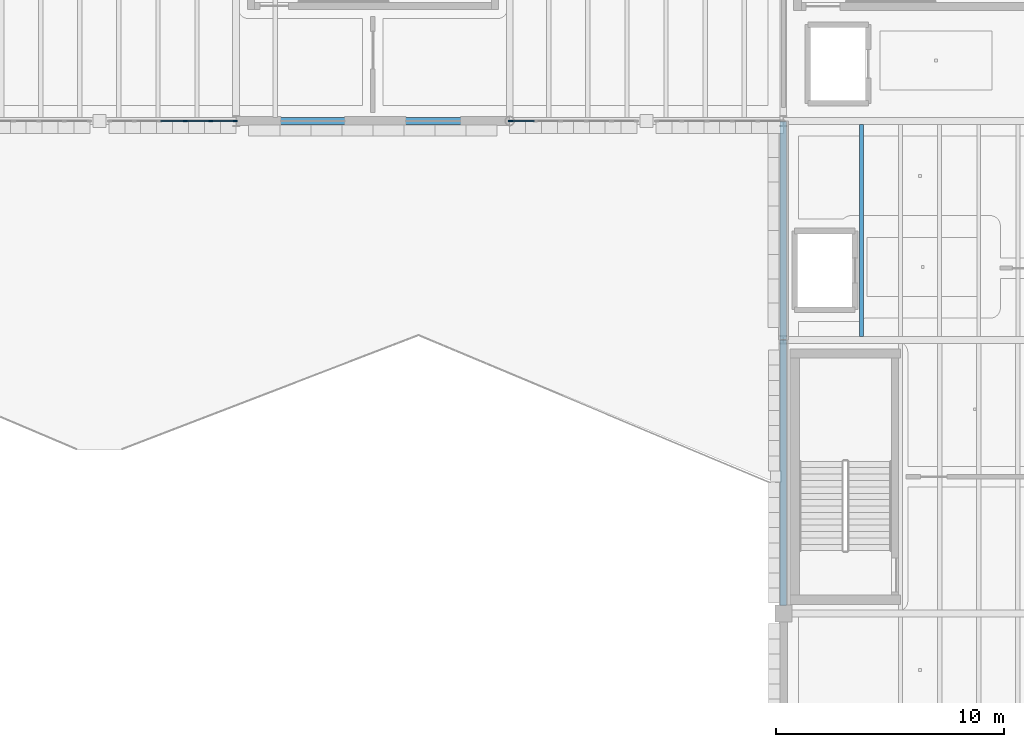
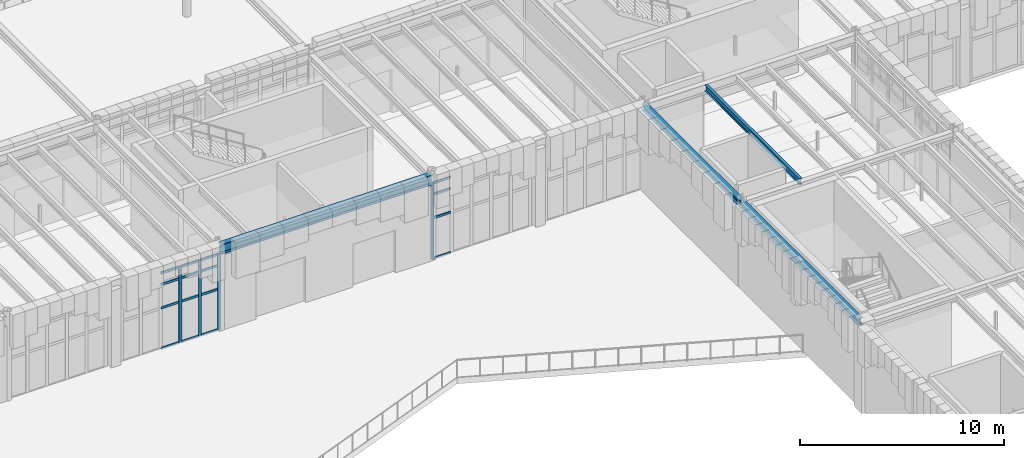
# One storey, part 28 of 103: 20 members, 4 beams, 2 elements without a shape of their own.
"""IFC4 building model written with IfcOpenShell, lengths in metres."""

from ifc_helpers import new_model, si_unit, direction, frame, origin, origin_2d, place, context, subcontext, project, spatial, rectangle, i_section, extrude, material, layer, layer_set, material_profile, profile_set, type_object, element, aggregate, save


model = new_model("IFC4")

# Units and contexts
model_context = context("Model", 3, precision=1e-05, world=origin(), true_north=direction((0.0, 1.0)))
body_context = subcontext(model_context, "Body", "Model", "MODEL_VIEW")
ifc_project = project(units=[si_unit("LENGTHUNIT", "METRE"), si_unit("AREAUNIT", "SQUARE_METRE"), si_unit("VOLUMEUNIT", "CUBIC_METRE"), si_unit("PLANEANGLEUNIT", "RADIAN"), si_unit("MASSUNIT", "GRAM", prefix="KILO")], contexts=[model_context])

# Site, building, storey
site_placement = place(None, origin())
site = spatial("IfcSite", under=ifc_project, at=site_placement, CompositionType="ELEMENT")
building_placement = place(site_placement, origin())
building = spatial("IfcBuilding", under=site, at=building_placement, Name="Zlatogorsky Bluff Art Gallery", CompositionType="ELEMENT")
storey_placement = place(building_placement, origin())
storey = spatial("IfcBuildingStorey", under=building, at=storey_placement, Name="L00", CompositionType="ELEMENT", Elevation=0.0)

# Beams
ifc_material_1 = material(Name="Steel S355", Category="steel")
ifc_material_profile_1 = material_profile(ifc_material_1, i_section(OverallWidth=0.300048828125, OverallDepth=0.590087890625, WebThickness=0.012939453125, FlangeThickness=0.02490234375, FilletRadius=0.027099609375, at=origin_2d()), Name="HEA 600")
ifc_profile_set_1 = profile_set([ifc_material_profile_1], Name="Steel S355")
beam_type_1 = type_object("IfcBeamType", Name="Beam BM-05 HEA 600", PredefinedType="BEAM", material=ifc_profile_set_1)
beam_1_placement = place(storey_placement, frame((96.014892578125, 84.0, 4.844970703125), z_axis=(1.0, 0.0, 0.0), x_axis=(0.0, 1.0, 0.0)))
element("IfcBeam", 1, at=beam_1_placement, inside=storey, type_object=beam_type_1, Name="Primary girder BM-05 L00 J-K/9", PredefinedType="BEAM", context=body_context, shape_type="SweptSolid", body=[
    extrude(i_section(OverallWidth=0.300048828125, OverallDepth=0.590087890625, WebThickness=0.012939453125, FlangeThickness=0.02490234375, FilletRadius=0.027099609375, at=origin_2d()), origin(), (0.0, 0.0, 1.0), 11.97021484375),
])
ifc_material_profile_2 = material_profile(ifc_material_1, i_section(OverallWidth=0.300048828125, OverallDepth=0.389892578125, WebThickness=0.010986328125, FlangeThickness=0.01904296875, FilletRadius=0.027099609375, at=origin_2d()), Name="HEA 400")
ifc_profile_set_2 = profile_set([ifc_material_profile_2], Name="Steel S355")
beam_type_2 = type_object("IfcBeamType", Name="Beam BM-09 HEA 400", PredefinedType="BEAM", material=ifc_profile_set_2)
beam_2_placement = place(storey_placement, frame((120.0, 62.7548828125, 4.945068359375), z_axis=(0.0, 1.0, 0.0), x_axis=(-1.0, 0.0, 0.0)))
element("IfcBeam", 2, at=beam_2_placement, inside=storey, type_object=beam_type_2, Name="Primary girder BM-09 L00 L/7-8", PredefinedType="BEAM", context=body_context, shape_type="SweptSolid", body=[
    extrude(i_section(OverallWidth=0.300048828125, OverallDepth=0.389892578125, WebThickness=0.010986328125, FlangeThickness=0.01904296875, FilletRadius=0.027099609375, at=origin_2d()), origin(), (0.0, 0.0, 1.0), 11.630126953125),
])
ifc_material_profile_3 = material_profile(ifc_material_1, i_section(OverallWidth=0.300048828125, OverallDepth=0.35009765625, WebThickness=0.010009765625, FlangeThickness=0.017578125, FilletRadius=0.027099609375, at=origin_2d()), Name="HEA 360")
ifc_profile_set_3 = profile_set([ifc_material_profile_3], Name="Steel S355")
beam_type_3 = type_object("IfcBeamType", Name="Beam BM-10 HEA 360", PredefinedType="BEAM", material=ifc_profile_set_3)
beam_3_placement = place(storey_placement, frame((120.0, 74.4150390625, 4.965087890625), z_axis=(0.0, 1.0, 0.0), x_axis=(-1.0, 0.0, 0.0)))
element("IfcBeam", 3, at=beam_3_placement, inside=storey, type_object=beam_type_3, Name="Primary girder BM-10 L00 L/8-9", PredefinedType="BEAM", context=body_context, shape_type="SweptSolid", body=[
    extrude(i_section(OverallWidth=0.300048828125, OverallDepth=0.35009765625, WebThickness=0.010009765625, FlangeThickness=0.017578125, FilletRadius=0.027099609375, at=origin_2d()), origin(), (0.0, 0.0, 1.0), 9.570068359375),
])
ifc_material_profile_4 = material_profile(ifc_material_1, i_section(OverallWidth=0.169921875, OverallDepth=0.360107421875, WebThickness=0.008056640625, FlangeThickness=0.0126953125, FilletRadius=0.01806640625, at=origin_2d()), Name="IPE 360")
ifc_profile_set_4 = profile_set([ifc_material_profile_4], Name="Steel S355")
beam_type_4 = type_object("IfcBeamType", Name="Beam JS-04 IPE 360", PredefinedType="JOIST", material=ifc_profile_set_4)
beam_4_placement = place(storey_placement, frame((123.428466796875, 74.550048828125, 4.9599609375), z_axis=(0.0, 1.0, 0.0), x_axis=(-1.0, 0.0, 0.0)))
element("IfcBeam", 4, at=beam_4_placement, inside=storey, type_object=beam_type_4, Name="Composite floor joist JS-04 L00 10.07.2", PredefinedType="JOIST", context=body_context, shape_type="SweptSolid", body=[
    extrude(i_section(OverallWidth=0.169921875, OverallDepth=0.360107421875, WebThickness=0.008056640625, FlangeThickness=0.0126953125, FilletRadius=0.01806640625, at=origin_2d()), origin(), (0.0, 0.0, 1.0), 9.300048828125),
])

# Curtain wall, members
ifc_material_2 = material(Name="Anodised Bronze Aluminium and Low-Iron Triple Glazing", Category="aluminium")
ifc_layer = layer(ifc_material_2, 0.179931640625)
ifc_layer_set = layer_set([ifc_layer], Name="Curtain Wall CW-03")
curtain_wall_type = type_object("IfcCurtainWallType", Name="Curtain Wall CW-03", PredefinedType="USERDEFINED", material=ifc_layer_set)
curtain_wall_1_placement = place(storey_placement, origin())
curtain_wall_1 = element("IfcCurtainWall", 5, at=curtain_wall_1_placement, inside=storey, type_object=curtain_wall_type, Name="Unitised curtain wall CW-03 L00 S 7.8-B", ObjectType="CURTAIN WALL", PredefinedType="USERDEFINED")
ifc_material_3 = material(Name="Anodised Bronze Aluminium", Category="aluminium")
ifc_material_profile_5 = material_profile(ifc_material_3, rectangle(XDim=0.06494140625, YDim=0.179931640625, at=origin_2d()), Name="ALU MULLION 65x180")
ifc_profile_set_5 = profile_set([ifc_material_profile_5], Name="Anodised Bronze Aluminium")
member_type_1 = type_object("IfcMemberType", Name="Curtain Mullion ML-01", PredefinedType="MULLION", material=ifc_profile_set_5)
member_1_placement = place(storey_placement, frame((93.76806640625, 84.0, 0.0), z_axis=(0.0, 0.0, 1.0), x_axis=(0.0, 1.0, 0.0)))
member_1 = element("IfcMember", 6, at=member_1_placement, type_object=member_type_1, Name="CW-03 mullion 4", PredefinedType="MULLION", context=body_context, shape_type="SweptSolid", body=[
    extrude(rectangle(XDim=0.06494140625, YDim=0.179931640625, at=origin_2d()), origin(), (0.0, 0.0, 1.0), 4.56005859375),
])
member_2_placement = place(storey_placement, frame((94.884033203125, 84.0, 0.0), z_axis=(0.0, 0.0, 1.0), x_axis=(0.0, 1.0, 0.0)))
member_2 = element("IfcMember", 7, at=member_2_placement, type_object=member_type_1, Name="CW-03 mullion 5", PredefinedType="MULLION", context=body_context, shape_type="SweptSolid", body=[
    extrude(rectangle(XDim=0.06494140625, YDim=0.179931640625, at=origin_2d()), origin(), (0.0, 0.0, 1.0), 4.56005859375),
])
member_3_placement = place(storey_placement, frame((95.967529296875, 84.0, 0.0), z_axis=(0.0, 0.0, 1.0), x_axis=(0.0, 1.0, 0.0)))
member_3 = element("IfcMember", 8, at=member_3_placement, type_object=member_type_1, Name="CW-03 mullion 6", PredefinedType="MULLION", context=body_context, shape_type="SweptSolid", body=[
    extrude(rectangle(XDim=0.06494140625, YDim=0.179931640625, at=origin_2d()), origin(), (0.0, 0.0, 1.0), 4.56005859375),
])

# Curtain wall, member
curtain_wall_2_placement = place(storey_placement, origin())
curtain_wall_2 = element("IfcCurtainWall", 9, at=curtain_wall_2_placement, inside=storey, type_object=curtain_wall_type, Name="Unitised curtain wall CW-03 L00 S 9.8-A", ObjectType="CURTAIN WALL", PredefinedType="USERDEFINED")
member_4_placement = place(storey_placement, frame((108.032470703125, 84.0, 0.0), z_axis=(0.0, 0.0, 1.0), x_axis=(0.0, 1.0, 0.0)))
member_4 = element("IfcMember", 10, at=member_4_placement, type_object=member_type_1, Name="CW-03 mullion 1", PredefinedType="MULLION", context=body_context, shape_type="SweptSolid", body=[
    extrude(rectangle(XDim=0.06494140625, YDim=0.179931640625, at=origin_2d()), origin(), (0.0, 0.0, 1.0), 4.56005859375),
])

# Member
ifc_material_profile_6 = material_profile(ifc_material_3, rectangle(XDim=0.06494140625, YDim=0.139892578125, at=origin_2d()), Name="ALU TRANSOM 65x140")
ifc_profile_set_6 = profile_set([ifc_material_profile_6], Name="Anodised Bronze Aluminium")
member_type_2 = type_object("IfcMemberType", Name="Curtain Transom TR-01", PredefinedType="USERDEFINED", material=ifc_profile_set_6)
member_5_placement = place(storey_placement, frame((92.6845703125, 84.0, 0.032470703125), z_axis=(1.0, 0.0, 0.0), x_axis=(0.0, 1.0, 0.0)))
member_5 = element("IfcMember", 11, at=member_5_placement, type_object=member_type_2, Name="CW-03 transom 3.1", ObjectType="TRANSOM", PredefinedType="USERDEFINED", context=body_context, shape_type="SweptSolid", body=[
    extrude(rectangle(XDim=0.06494140625, YDim=0.139892578125, at=origin_2d()), origin(), (0.0, 0.0, 1.0), 1.051025390625),
])

member_6_placement = place(storey_placement, frame((92.6845703125, 84.0, 2.449951171875), z_axis=(1.0, 0.0, 0.0), x_axis=(0.0, 1.0, 0.0)))
member_6 = element("IfcMember", 12, at=member_6_placement, type_object=member_type_2, Name="CW-03 transom 3.2", ObjectType="TRANSOM", PredefinedType="USERDEFINED", context=body_context, shape_type="SweptSolid", body=[
    extrude(rectangle(XDim=0.06494140625, YDim=0.139892578125, at=origin_2d()), origin(), (0.0, 0.0, 1.0), 1.051025390625),
])

member_7_placement = place(storey_placement, frame((92.6845703125, 84.0, 3.85009765625), z_axis=(1.0, 0.0, 0.0), x_axis=(0.0, 1.0, 0.0)))
member_7 = element("IfcMember", 13, at=member_7_placement, type_object=member_type_2, Name="CW-03 transom 3.3", ObjectType="TRANSOM", PredefinedType="USERDEFINED", context=body_context, shape_type="SweptSolid", body=[
    extrude(rectangle(XDim=0.06494140625, YDim=0.139892578125, at=origin_2d()), origin(), (0.0, 0.0, 1.0), 1.051025390625),
])

member_8_placement = place(storey_placement, frame((92.6845703125, 84.0, 4.527587890625), z_axis=(1.0, 0.0, 0.0), x_axis=(0.0, 1.0, 0.0)))
member_8 = element("IfcMember", 14, at=member_8_placement, type_object=member_type_2, Name="CW-03 transom 3.4", ObjectType="TRANSOM", PredefinedType="USERDEFINED", context=body_context, shape_type="SweptSolid", body=[
    extrude(rectangle(XDim=0.06494140625, YDim=0.139892578125, at=origin_2d()), origin(), (0.0, 0.0, 1.0), 1.051025390625),
])

member_9_placement = place(storey_placement, frame((93.800537109375, 84.0, 0.032470703125), z_axis=(1.0, 0.0, 0.0), x_axis=(0.0, 1.0, 0.0)))
member_9 = element("IfcMember", 15, at=member_9_placement, type_object=member_type_2, Name="CW-03 transom 4.1", ObjectType="TRANSOM", PredefinedType="USERDEFINED", context=body_context, shape_type="SweptSolid", body=[
    extrude(rectangle(XDim=0.06494140625, YDim=0.139892578125, at=origin_2d()), origin(), (0.0, 0.0, 1.0), 1.051025390625),
])

member_10_placement = place(storey_placement, frame((93.800537109375, 84.0, 2.449951171875), z_axis=(1.0, 0.0, 0.0), x_axis=(0.0, 1.0, 0.0)))
member_10 = element("IfcMember", 16, at=member_10_placement, type_object=member_type_2, Name="CW-03 transom 4.2", ObjectType="TRANSOM", PredefinedType="USERDEFINED", context=body_context, shape_type="SweptSolid", body=[
    extrude(rectangle(XDim=0.06494140625, YDim=0.139892578125, at=origin_2d()), origin(), (0.0, 0.0, 1.0), 1.051025390625),
])

member_11_placement = place(storey_placement, frame((93.800537109375, 84.0, 3.85009765625), z_axis=(1.0, 0.0, 0.0), x_axis=(0.0, 1.0, 0.0)))
member_11 = element("IfcMember", 17, at=member_11_placement, type_object=member_type_2, Name="CW-03 transom 4.3", ObjectType="TRANSOM", PredefinedType="USERDEFINED", context=body_context, shape_type="SweptSolid", body=[
    extrude(rectangle(XDim=0.06494140625, YDim=0.139892578125, at=origin_2d()), origin(), (0.0, 0.0, 1.0), 1.051025390625),
])

member_12_placement = place(storey_placement, frame((93.800537109375, 84.0, 4.527587890625), z_axis=(1.0, 0.0, 0.0), x_axis=(0.0, 1.0, 0.0)))
member_12 = element("IfcMember", 18, at=member_12_placement, type_object=member_type_2, Name="CW-03 transom 4.4", ObjectType="TRANSOM", PredefinedType="USERDEFINED", context=body_context, shape_type="SweptSolid", body=[
    extrude(rectangle(XDim=0.06494140625, YDim=0.139892578125, at=origin_2d()), origin(), (0.0, 0.0, 1.0), 1.051025390625),
])

member_13_placement = place(storey_placement, frame((94.91650390625, 84.0, 0.032470703125), z_axis=(1.0, 0.0, 0.0), x_axis=(0.0, 1.0, 0.0)))
member_13 = element("IfcMember", 19, at=member_13_placement, type_object=member_type_2, Name="CW-03 transom 5.1", ObjectType="TRANSOM", PredefinedType="USERDEFINED", context=body_context, shape_type="SweptSolid", body=[
    extrude(rectangle(XDim=0.06494140625, YDim=0.139892578125, at=origin_2d()), origin(), (0.0, 0.0, 1.0), 1.0185546875),
])

member_14_placement = place(storey_placement, frame((94.91650390625, 84.0, 2.449951171875), z_axis=(1.0, 0.0, 0.0), x_axis=(0.0, 1.0, 0.0)))
member_14 = element("IfcMember", 20, at=member_14_placement, type_object=member_type_2, Name="CW-03 transom 5.2", ObjectType="TRANSOM", PredefinedType="USERDEFINED", context=body_context, shape_type="SweptSolid", body=[
    extrude(rectangle(XDim=0.06494140625, YDim=0.139892578125, at=origin_2d()), origin(), (0.0, 0.0, 1.0), 1.0185546875),
])

member_15_placement = place(storey_placement, frame((94.91650390625, 84.0, 3.85009765625), z_axis=(1.0, 0.0, 0.0), x_axis=(0.0, 1.0, 0.0)))
member_15 = element("IfcMember", 21, at=member_15_placement, type_object=member_type_2, Name="CW-03 transom 5.3", ObjectType="TRANSOM", PredefinedType="USERDEFINED", context=body_context, shape_type="SweptSolid", body=[
    extrude(rectangle(XDim=0.06494140625, YDim=0.139892578125, at=origin_2d()), origin(), (0.0, 0.0, 1.0), 1.0185546875),
])

member_16_placement = place(storey_placement, frame((94.91650390625, 84.0, 4.527587890625), z_axis=(1.0, 0.0, 0.0), x_axis=(0.0, 1.0, 0.0)))
member_16 = element("IfcMember", 22, at=member_16_placement, type_object=member_type_2, Name="CW-03 transom 5.4", ObjectType="TRANSOM", PredefinedType="USERDEFINED", context=body_context, shape_type="SweptSolid", body=[
    extrude(rectangle(XDim=0.06494140625, YDim=0.139892578125, at=origin_2d()), origin(), (0.0, 0.0, 1.0), 1.0185546875),
])

aggregate(curtain_wall_1, [member_1, member_2, member_3, member_5, member_6, member_7, member_8, member_9, member_10, member_11, member_12, member_13, member_14, member_15, member_16])

member_17_placement = place(storey_placement, frame((108.06494140625, 84.0, 0.032470703125), z_axis=(1.0, 0.0, 0.0), x_axis=(0.0, 1.0, 0.0)))
member_17 = element("IfcMember", 23, at=member_17_placement, type_object=member_type_2, Name="CW-03 transom 1.1", ObjectType="TRANSOM", PredefinedType="USERDEFINED", context=body_context, shape_type="SweptSolid", body=[
    extrude(rectangle(XDim=0.06494140625, YDim=0.139892578125, at=origin_2d()), origin(), (0.0, 0.0, 1.0), 1.0185546875),
])

member_18_placement = place(storey_placement, frame((108.06494140625, 84.0, 2.449951171875), z_axis=(1.0, 0.0, 0.0), x_axis=(0.0, 1.0, 0.0)))
member_18 = element("IfcMember", 24, at=member_18_placement, type_object=member_type_2, Name="CW-03 transom 1.2", ObjectType="TRANSOM", PredefinedType="USERDEFINED", context=body_context, shape_type="SweptSolid", body=[
    extrude(rectangle(XDim=0.06494140625, YDim=0.139892578125, at=origin_2d()), origin(), (0.0, 0.0, 1.0), 1.0185546875),
])

member_19_placement = place(storey_placement, frame((108.06494140625, 84.0, 3.85009765625), z_axis=(1.0, 0.0, 0.0), x_axis=(0.0, 1.0, 0.0)))
member_19 = element("IfcMember", 25, at=member_19_placement, type_object=member_type_2, Name="CW-03 transom 1.3", ObjectType="TRANSOM", PredefinedType="USERDEFINED", context=body_context, shape_type="SweptSolid", body=[
    extrude(rectangle(XDim=0.06494140625, YDim=0.139892578125, at=origin_2d()), origin(), (0.0, 0.0, 1.0), 1.0185546875),
])

member_20_placement = place(storey_placement, frame((108.06494140625, 84.0, 4.527587890625), z_axis=(1.0, 0.0, 0.0), x_axis=(0.0, 1.0, 0.0)))
member_20 = element("IfcMember", 26, at=member_20_placement, type_object=member_type_2, Name="CW-03 transom 1.4", ObjectType="TRANSOM", PredefinedType="USERDEFINED", context=body_context, shape_type="SweptSolid", body=[
    extrude(rectangle(XDim=0.06494140625, YDim=0.139892578125, at=origin_2d()), origin(), (0.0, 0.0, 1.0), 1.0185546875),
])

aggregate(curtain_wall_2, [member_4, member_17, member_18, member_19, member_20])

save(model, "model.ifc")
